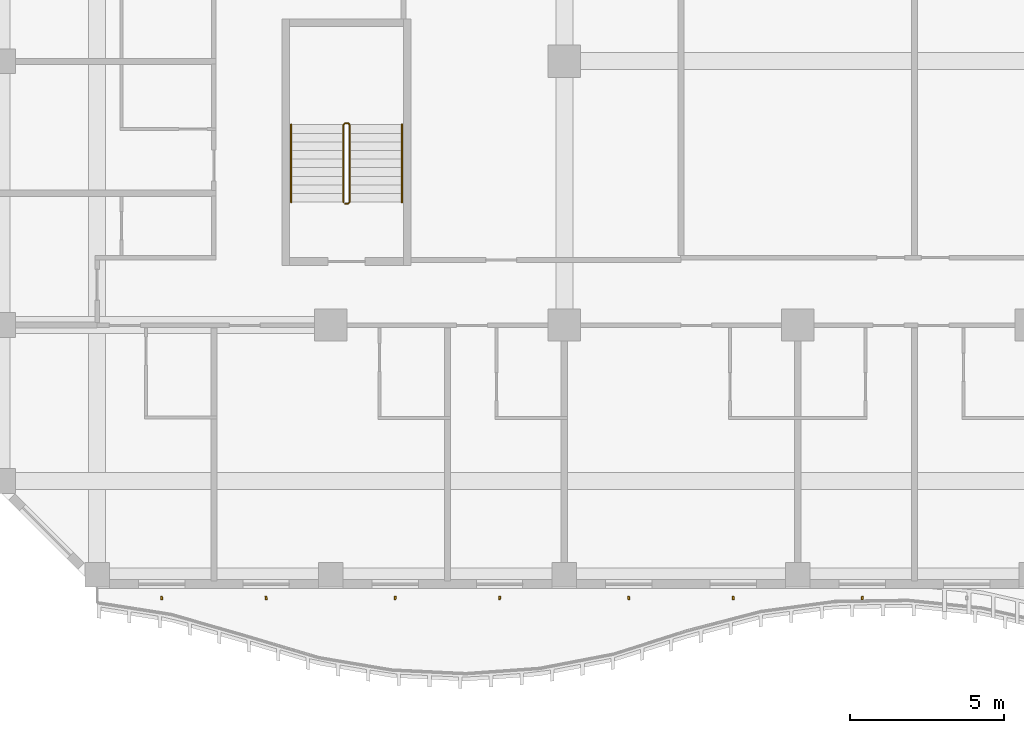
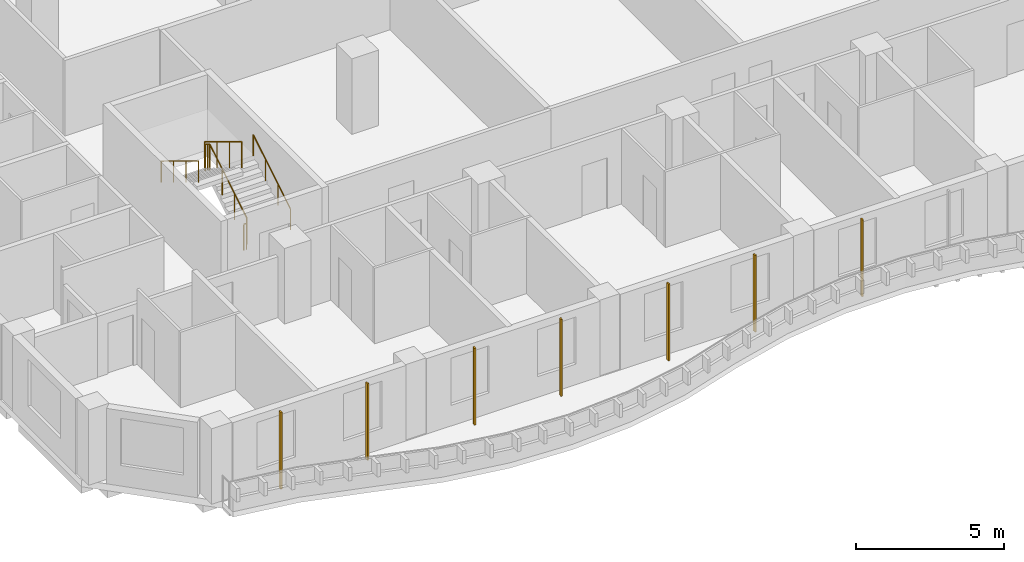
# One storey, part 14 of 21: 7 shading devices, 3 railings.
"""IFC4 building model written with IfcOpenShell, lengths in metres."""

from ifc_helpers import new_model, si_unit, direction, frame, origin, origin_2d, place, context, subcontext, project, spatial, rectangle, circle, extrude, source, transform, mapped, material, material_profile, profile_set, type_object, element, save


model = new_model("IFC4")

# Units and contexts
model_context = context("Model", 3, precision=1e-05, world=origin(), true_north=direction((0.0, 1.0)))
body_context = subcontext(model_context, "Body", "Model", "MODEL_VIEW")
ifc_project = project(units=[si_unit("LENGTHUNIT", "METRE"), si_unit("AREAUNIT", "SQUARE_METRE"), si_unit("VOLUMEUNIT", "CUBIC_METRE"), si_unit("PLANEANGLEUNIT", "RADIAN"), si_unit("MASSUNIT", "GRAM", prefix="KILO")], contexts=[model_context])

# Site, building, storey
site_placement = place(None, origin())
site = spatial("IfcSite", under=ifc_project, at=site_placement, CompositionType="ELEMENT")
building_placement = place(site_placement, origin())
building = spatial("IfcBuilding", under=site, at=building_placement, Name="Kilnfold Tower and Market Hall", CompositionType="ELEMENT")
storey_placement = place(building_placement, frame((0.0, 0.0, 185.5)))
storey = spatial("IfcBuildingStorey", under=building, at=storey_placement, Name="L44", CompositionType="ELEMENT", Elevation=185.5)

# Railings
ifc_material_1 = material(Name="Stainless steel 316", Category="steel")
railing_type_1 = type_object("IfcRailingType", Name="CORE STAIR GUARD 1100", PredefinedType="GUARDRAIL", material=ifc_material_1)
railing_1_placement = place(storey_placement, frame((-15.699951171875, -13.75, 0.0)))
element("IfcRailing", 1, at=railing_1_placement, inside=storey, type_object=railing_type_1, Name="L44 ST3 stair guard 1", PredefinedType="GUARDRAIL", context=body_context, shape_type="SweptSolid", body=[
    extrude(circle(Radius=0.02392578125, at=origin_2d()), frame((0.0, 0.0, 1.076171875), z_axis=(1.0, 0.0, 0.0), x_axis=(0.0, 1.0, 0.0)), (0.0, 0.0, 1.0), 0.099853515625),
    extrude(circle(Radius=0.02392578125, at=origin_2d()), frame((0.099853515625, 0.0, 1.076171875), z_axis=(0.271895245746, 0.271895245746, 0.923117517265), x_axis=(-0.707106781187, 0.707106781187, 0.0)), (0.0, 0.0, 1.0), 0.18408203125),
    extrude(circle(Radius=0.02392578125, at=origin_2d()), frame((0.14990234375, 0.050048828125, 1.24609375), z_axis=(0.0, 0.85478489116, 0.518982456201), x_axis=(-1.0, 0.0, 0.0)), (0.0, 0.0, 1.0), 2.9482421875),
    extrude(circle(Radius=0.02392578125, at=origin_2d()), frame((0.14990234375, 2.570068359375, 2.77587890625), z_axis=(-0.707106781187, 0.707106781187, 0.0), x_axis=(-0.707106781187, -0.707106781187, 0.0)), (0.0, 0.0, 1.0), 0.07080078125),
    extrude(circle(Radius=0.02392578125, at=origin_2d()), frame((0.099853515625, 2.6201171875, 2.77587890625), z_axis=(-1.0, 0.0, 0.0), x_axis=(0.0, -1.0, 0.0)), (0.0, 0.0, 1.0), 0.099853515625),
    extrude(circle(Radius=0.02392578125, at=origin_2d()), frame((0.0, 2.6201171875, 2.77587890625), z_axis=(-0.271562723297, -0.271562723297, 0.923313259209), x_axis=(0.707106781187, -0.707106781187, 0.0)), (0.0, 0.0, 1.0), 0.184326171875),
    extrude(circle(Radius=0.02392578125, at=origin_2d()), frame((-0.050048828125, 2.570068359375, 2.9462890625), z_axis=(0.0, -0.854821627497, 0.518921945155), x_axis=(1.0, 0.0, 0.0)), (0.0, 0.0, 1.0), 2.947998046875),
    extrude(circle(Radius=0.02099609375, at=origin_2d()), origin(), (0.0, 0.0, 1.0), 1.052001953125),
    extrude(circle(Radius=0.02099609375, at=origin_2d()), frame((0.099853515625, 0.0, 0.0)), (0.0, 0.0, 1.0), 1.052001953125),
    extrude(circle(Radius=0.02099609375, at=origin_2d()), frame((0.14990234375, 0.050048828125, 0.169921875)), (0.0, 0.0, 1.0), 1.052001953125),
    extrude(circle(Radius=0.02099609375, at=origin_2d()), frame((0.14990234375, 0.89013671875, 0.679931640625)), (0.0, 0.0, 1.0), 1.052001953125),
    extrude(circle(Radius=0.02099609375, at=origin_2d()), frame((0.14990234375, 1.72998046875, 1.18994140625)), (0.0, 0.0, 1.0), 1.052001953125),
    extrude(circle(Radius=0.02099609375, at=origin_2d()), frame((0.14990234375, 2.570068359375, 1.699951171875)), (0.0, 0.0, 1.0), 1.052001953125),
    extrude(circle(Radius=0.02099609375, at=origin_2d()), frame((0.099853515625, 2.6201171875, 1.699951171875)), (0.0, 0.0, 1.0), 1.052001953125),
    extrude(circle(Radius=0.02099609375, at=origin_2d()), frame((0.0, 2.6201171875, 1.699951171875)), (0.0, 0.0, 1.0), 1.052001953125),
    extrude(circle(Radius=0.02099609375, at=origin_2d()), frame((-0.050048828125, 2.570068359375, 1.8701171875)), (0.0, 0.0, 1.0), 1.052001953125),
    extrude(circle(Radius=0.02099609375, at=origin_2d()), frame((-0.050048828125, 1.72998046875, 2.380126953125)), (0.0, 0.0, 1.0), 1.052001953125),
    extrude(circle(Radius=0.02099609375, at=origin_2d()), frame((-0.050048828125, 0.89013671875, 2.889892578125)), (0.0, 0.0, 1.0), 1.052001953125),
    extrude(circle(Radius=0.02099609375, at=origin_2d()), frame((-0.050048828125, 0.050048828125, 3.39990234375)), (0.0, 0.0, 1.0), 1.052001953125),
])
ifc_material_2 = material(Name="Stainless steel 316", Category="steel")
railing_type_2 = type_object("IfcRailingType", Name="CORE STAIR HANDRAIL 900", PredefinedType="HANDRAIL", material=ifc_material_2)
railing_2_placement = place(storey_placement, frame((-13.85009765625, -13.699951171875, 0.169921875)))
element("IfcRailing", 2, at=railing_2_placement, inside=storey, type_object=railing_type_2, Name="L44 ST3 stair handrail 1", PredefinedType="HANDRAIL", context=body_context, shape_type="SweptSolid", body=[
    extrude(circle(Radius=0.02392578125, at=origin_2d()), frame((0.0, 0.0, 0.8759765625), z_axis=(0.0, 0.85478489116, 0.518982456201), x_axis=(-1.0, 0.0, 0.0)), (0.0, 0.0, 1.0), 2.9482421875),
    extrude(circle(Radius=0.02099609375, at=origin_2d()), origin(), (0.0, 0.0, 1.0), 0.851806640625),
    extrude(circle(Radius=0.02099609375, at=origin_2d()), frame((0.0, 0.840087890625, 0.510009765625)), (0.0, 0.0, 1.0), 0.851806640625),
    extrude(circle(Radius=0.02099609375, at=origin_2d()), frame((0.0, 1.679931640625, 1.02001953125)), (0.0, 0.0, 1.0), 0.851806640625),
    extrude(circle(Radius=0.02099609375, at=origin_2d()), frame((0.0, 2.52001953125, 1.530029296875)), (0.0, 0.0, 1.0), 0.851806640625),
])
railing_3_placement = place(storey_placement, frame((-17.449951171875, -11.179931640625, 1.8701171875)))
element("IfcRailing", 3, at=railing_3_placement, inside=storey, type_object=railing_type_2, Name="L44 ST3 stair handrail 2", PredefinedType="HANDRAIL", context=body_context, shape_type="SweptSolid", body=[
    extrude(circle(Radius=0.02392578125, at=origin_2d()), frame((0.0, 0.0, 0.8759765625), z_axis=(0.0, -0.854821627497, 0.518921945155), x_axis=(1.0, 0.0, 0.0)), (0.0, 0.0, 1.0), 2.947998046875),
    extrude(circle(Radius=0.02099609375, at=origin_2d()), origin(), (0.0, 0.0, 1.0), 0.851806640625),
    extrude(circle(Radius=0.02099609375, at=origin_2d()), frame((0.0, -0.840087890625, 0.510009765625)), (0.0, 0.0, 1.0), 0.851806640625),
    extrude(circle(Radius=0.02099609375, at=origin_2d()), frame((0.0, -1.679931640625, 1.019775390625)), (0.0, 0.0, 1.0), 0.851806640625),
    extrude(circle(Radius=0.02099609375, at=origin_2d()), frame((0.0, -2.52001953125, 1.52978515625)), (0.0, 0.0, 1.0), 0.851806640625),
])

# Shading devices
ifc_material_3 = material(Name="Terracotta", Category="masonry")
ifc_material_profile = material_profile(ifc_material_3, rectangle(XDim=0.06005859375, YDim=0.1201171875, at=origin_2d()), Name="BAG 60x120")
ifc_profile_set = profile_set([ifc_material_profile], Name="Terracotta")
shading_device_type = type_object("IfcShadingDeviceType", Name="BAGUETTE", PredefinedType="USERDEFINED", material=ifc_profile_set)
shared_shape = source(origin(), body_context, "Body", "SweptSolid", [
    extrude(rectangle(XDim=0.06005859375, YDim=0.1201171875, at=origin_2d()), origin(), (0.0, 0.0, 1.0), 3.179931640625),
])
for number, where, z_axis, x_axis, name in (
    (4, (-21.654296875, -26.550048828125, 0.0), (0.0, 0.0, 1.0), (0.996179776204, 0.087326132871, 0.0), "Terracotta baguette L44 S"),
    (5, (-18.2626953125, -26.550048828125, 0.0), (0.0, 0.0, 1.0), (0.99362450082, 0.112740194117, 0.0), "Terracotta baguette L44 S"),
    (6, (-14.07080078125, -26.550048828125, 0.0), (0.0, 0.0, 1.0), (0.993663597871, -0.112395081144, 0.0), "Terracotta baguette L44 S"),
    (7, (-10.67919921875, -26.550048828125, 0.0), (0.0, 0.0, 1.0), (0.996139893093, -0.0877799145, 0.0), "Terracotta baguette L44 S"),
    (8, (-6.4873046875, -26.550048828125, 0.0), (0.0, 0.0, 1.0), (0.991541861412, 0.129787276215, 0.0), "Terracotta baguette L44 S"),
    (9, (-3.095703125, -26.550048828125, 0.0), (0.0, 0.0, 1.0), (0.998386322954, 0.05678688351, 0.0), "Terracotta baguette L44 S"),
    (10, (1.095703125, -26.550048828125, 0.0), (0.0, 0.0, 1.0), (0.990382382873, -0.138357275542, 0.0), "Terracotta baguette L44 S"),
):
    element("IfcShadingDevice", number, at=place(storey_placement, frame(where, z_axis=z_axis, x_axis=x_axis)), inside=storey, type_object=shading_device_type, Name=name, ObjectType="BAGUETTE", PredefinedType="USERDEFINED", context=body_context, shape_type="MappedRepresentation", body=[
        mapped(shared_shape, transform((0.0, 0.0, 0.0))),
    ])

save(model, "model.ifc")
